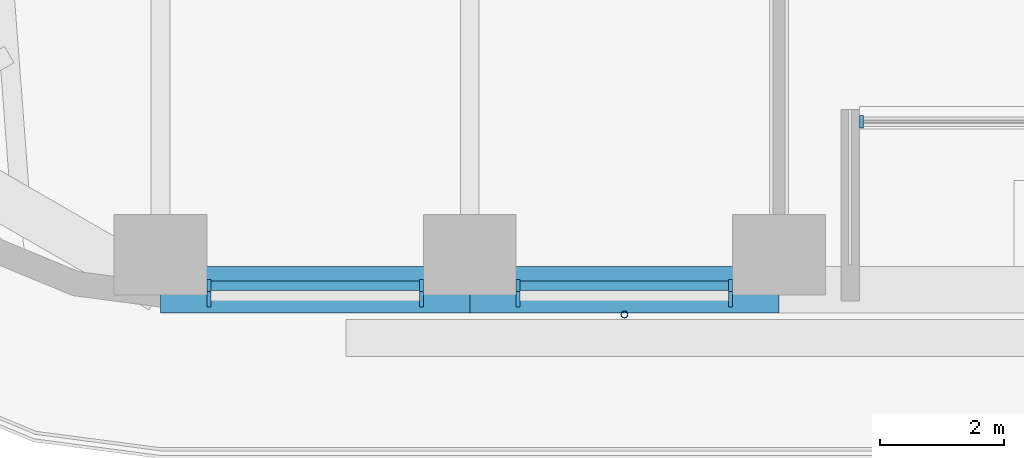
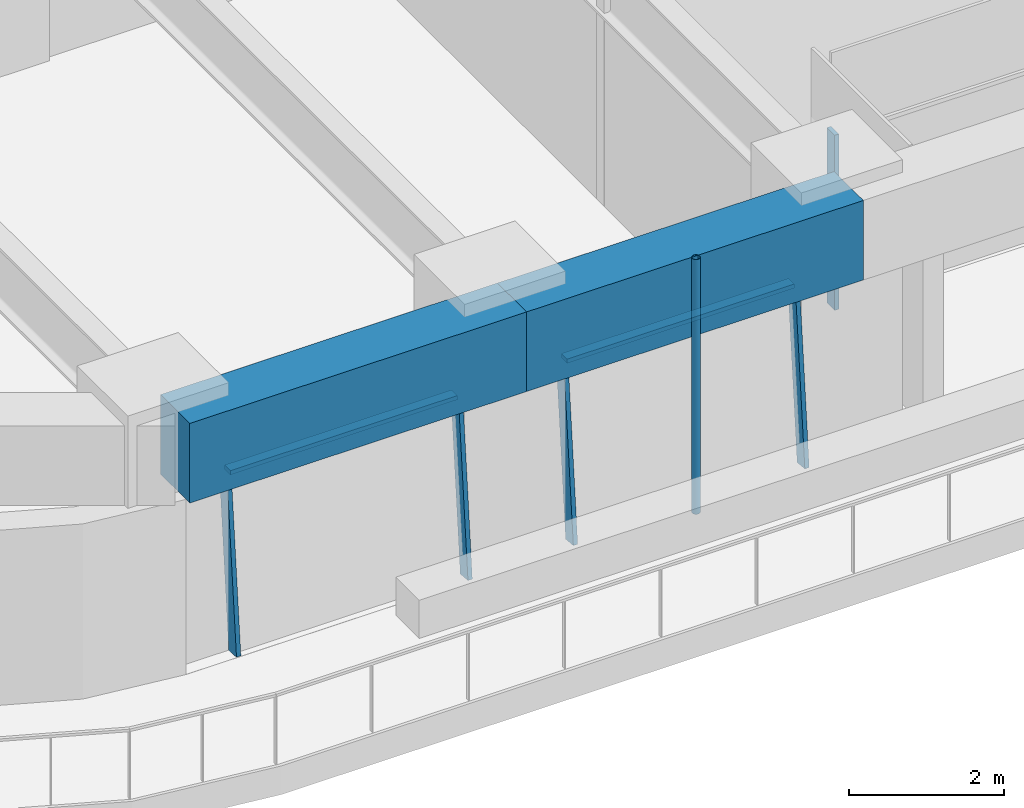
# One storey, part 2 of 24: 8 members, 2 beams, 3 elements without a shape of their own.
"""IFC4 building model written with IfcOpenShell, lengths in metres."""

from ifc_helpers import new_model, si_unit, direction, frame, origin, origin_2d, place, context, subcontext, project, spatial, rectangle, hollow_circle, extrude, material, material_profile, profile_set, type_object, element, aggregate, save


model = new_model("IFC4")

# Units and contexts
model_context = context("Model", 3, precision=1e-05, world=origin(), true_north=direction((0.0, 1.0)))
body_context = subcontext(model_context, "Body", "Model", "MODEL_VIEW")
ifc_project = project(units=[si_unit("LENGTHUNIT", "METRE"), si_unit("AREAUNIT", "SQUARE_METRE"), si_unit("VOLUMEUNIT", "CUBIC_METRE"), si_unit("PLANEANGLEUNIT", "RADIAN"), si_unit("MASSUNIT", "GRAM", prefix="KILO")], contexts=[model_context])

# Site, building, storey
site_placement = place(None, origin())
site = spatial("IfcSite", under=ifc_project, at=site_placement, CompositionType="ELEMENT")
building_placement = place(site_placement, origin())
building = spatial("IfcBuilding", under=site, at=building_placement, Name="Tarfa Lantern Tower", CompositionType="ELEMENT")
storey_placement = place(building_placement, frame((0.0, 0.0, 182.5)))
storey = spatial("IfcBuildingStorey", under=building, at=storey_placement, Name="L41", CompositionType="ELEMENT", Elevation=182.5)

# Curtain wall, members
ifc_material_1 = material(Name="Aluminium framed curtain wall", Category="aluminium")
curtain_wall_type_1 = type_object("IfcCurtainWallType", Name="CW2 CANTED GLAZING MID ZONE 2750", PredefinedType="USERDEFINED", material=ifc_material_1)
curtain_wall_1_placement = place(storey_placement, origin())
curtain_wall_1 = element("IfcCurtainWall", 1, at=curtain_wall_1_placement, inside=storey, type_object=curtain_wall_type_1, Name="CW2 S L41", ObjectType="CURTAIN WALL", PredefinedType="USERDEFINED")
ifc_material_2 = material(Name="Aluminium mullion", Category="aluminium")
ifc_material_profile_1 = material_profile(ifc_material_2, rectangle(XDim=0.06494140625, YDim=0.199951171875, at=origin_2d()), Name="AL MULLION 65x200")
ifc_profile_set_1 = profile_set([ifc_material_profile_1], Name="Aluminium mullion")
member_type_1 = type_object("IfcMemberType", Name="CWM1 MULLION 65x200", PredefinedType="MULLION", material=ifc_profile_set_1)
member_1_placement = place(storey_placement, frame((-14.228515625, -31.39990234375, 0.0), z_axis=(0.0, 0.090535746043, 0.995893206468), x_axis=(-1.0, 0.0, 0.0)))
member_1 = element("IfcMember", 2, at=member_1_placement, type_object=member_type_1, Name="CW2 mullion 1", PredefinedType="MULLION", context=body_context, shape_type="SweptSolid", body=[
    extrude(rectangle(XDim=0.06494140625, YDim=0.199951171875, at=origin_2d()), origin(), (0.0, 0.0, 1.0), 2.76123046875),
])
member_2_placement = place(storey_placement, frame((-10.789794921875, -31.39990234375, 0.0), z_axis=(0.0, 0.090535746043, 0.995893206468), x_axis=(-1.0, 0.0, 0.0)))
member_2 = element("IfcMember", 3, at=member_2_placement, type_object=member_type_1, Name="CW2 mullion 2", PredefinedType="MULLION", context=body_context, shape_type="SweptSolid", body=[
    extrude(rectangle(XDim=0.06494140625, YDim=0.199951171875, at=origin_2d()), origin(), (0.0, 0.0, 1.0), 2.76123046875),
])

curtain_wall_2_placement = place(storey_placement, origin())
curtain_wall_2 = element("IfcCurtainWall", 4, at=curtain_wall_2_placement, inside=storey, type_object=curtain_wall_type_1, Name="CW2 S L41", ObjectType="CURTAIN WALL", PredefinedType="USERDEFINED")
member_3_placement = place(storey_placement, frame((-9.224853515625, -31.39990234375, 0.0), z_axis=(0.0, 0.090535746043, 0.995893206468), x_axis=(-1.0, 0.0, 0.0)))
member_3 = element("IfcMember", 5, at=member_3_placement, type_object=member_type_1, Name="CW2 mullion 1", PredefinedType="MULLION", context=body_context, shape_type="SweptSolid", body=[
    extrude(rectangle(XDim=0.06494140625, YDim=0.199951171875, at=origin_2d()), origin(), (0.0, 0.0, 1.0), 2.76123046875),
])
member_4_placement = place(storey_placement, frame((-5.7861328125, -31.39990234375, 0.0), z_axis=(0.0, 0.090535746043, 0.995893206468), x_axis=(-1.0, 0.0, 0.0)))
member_4 = element("IfcMember", 6, at=member_4_placement, type_object=member_type_1, Name="CW2 mullion 2", PredefinedType="MULLION", context=body_context, shape_type="SweptSolid", body=[
    extrude(rectangle(XDim=0.06494140625, YDim=0.199951171875, at=origin_2d()), origin(), (0.0, 0.0, 1.0), 2.76123046875),
])

# Curtain wall, member
curtain_wall_type_2 = type_object("IfcCurtainWallType", Name="CW10 LOGGIA GLAZING 2750", PredefinedType="USERDEFINED", material=ifc_material_1)
curtain_wall_3_placement = place(storey_placement, origin())
curtain_wall_3 = element("IfcCurtainWall", 7, at=curtain_wall_3_placement, inside=storey, type_object=curtain_wall_type_2, Name="CW10 SL L41", ObjectType="CURTAIN WALL", PredefinedType="USERDEFINED")
member_5_placement = place(storey_placement, frame((-3.671142578125, -28.5, 0.0), z_axis=(0.0, 0.0, 1.0), x_axis=(1.0, 0.0, 0.0)))
member_5 = element("IfcMember", 8, at=member_5_placement, type_object=member_type_1, Name="CW10 mullion 1", PredefinedType="MULLION", context=body_context, shape_type="SweptSolid", body=[
    extrude(rectangle(XDim=0.06494140625, YDim=0.199951171875, at=origin_2d()), origin(), (0.0, 0.0, 1.0), 2.75),
])
aggregate(curtain_wall_3, [member_5])

# Member
ifc_material_3 = material(Name="Aluminium transom", Category="aluminium")
ifc_material_profile_2 = material_profile(ifc_material_3, rectangle(XDim=0.14990234375, YDim=0.06494140625, at=origin_2d()), Name="AL TRANSOM 150x65")
ifc_profile_set_2 = profile_set([ifc_material_profile_2], Name="Aluminium transom")
member_type_2 = type_object("IfcMemberType", Name="CWT1 TRANSOM 150x65", PredefinedType="USERDEFINED", material=ifc_profile_set_2)
member_6_placement = place(storey_placement, frame((-14.196044921875, -31.153076171875, 2.717529296875), z_axis=(1.0, 0.0, 0.0), x_axis=(0.0, 1.0, 0.0)))
member_6 = element("IfcMember", 9, at=member_6_placement, type_object=member_type_2, Name="CW2 transom 1.2", ObjectType="TRANSOM", PredefinedType="USERDEFINED", context=body_context, shape_type="SweptSolid", body=[
    extrude(rectangle(XDim=0.14990234375, YDim=0.06494140625, at=origin_2d()), origin(), (0.0, 0.0, 1.0), 3.37353515625),
])

aggregate(curtain_wall_1, [member_1, member_2, member_6])

member_7_placement = place(storey_placement, frame((-9.1923828125, -31.153076171875, 2.717529296875), z_axis=(1.0, 0.0, 0.0), x_axis=(0.0, 1.0, 0.0)))
member_7 = element("IfcMember", 10, at=member_7_placement, type_object=member_type_2, Name="CW2 transom 1.2", ObjectType="TRANSOM", PredefinedType="USERDEFINED", context=body_context, shape_type="SweptSolid", body=[
    extrude(rectangle(XDim=0.14990234375, YDim=0.06494140625, at=origin_2d()), origin(), (0.0, 0.0, 1.0), 3.373779296875),
])

aggregate(curtain_wall_2, [member_3, member_4, member_7])

# Beams
ifc_material_4 = material(Name="Concrete C80/95", Category="concrete")
ifc_material_profile_3 = material_profile(ifc_material_4, rectangle(XDim=0.75, YDim=1.25, at=origin_2d()), Name="RC 750x1250")
ifc_profile_set_3 = profile_set([ifc_material_profile_3], Name="Concrete C80/95")
beam_type = type_object("IfcBeamType", Name="EB2 RC 750x1250", PredefinedType="SPANDREL", material=ifc_profile_set_3)
for number, where, z_axis, x_axis, name in (
    (11, (-15.010986328125, -31.219970703125, 3.375), (1.0, 0.0, 0.0), (0.0, 1.0, 0.0), "Edge beam S0"),
    (12, (-10.00732421875, -31.219970703125, 3.375), (1.0, 0.0, 0.0), (0.0, 1.0, 0.0), "Edge beam S1"),
):
    element("IfcBeam", number, at=place(storey_placement, frame(where, z_axis=z_axis, x_axis=x_axis)), inside=storey, type_object=beam_type, Name=name, PredefinedType="SPANDREL", context=body_context, shape_type="SweptSolid", body=[
        extrude(rectangle(XDim=0.75, YDim=1.25, at=origin_2d()), origin(), (0.0, 0.0, 1.0), 5.003662109375),
    ])

# Member
ifc_material_5 = material(Name="Steel S355", Category="steel")
ifc_material_profile_4 = material_profile(ifc_material_5, hollow_circle(Radius=0.05712890625, WallThickness=0.00634765625, at=origin_2d()), Name="CHS114.3x6.3")
ifc_profile_set_4 = profile_set([ifc_material_profile_4], Name="Steel S355")
member_type_3 = type_object("IfcMemberType", Name="TR1 GREEN WALL TRELLIS CHS114.3x6.3", PredefinedType="USERDEFINED", material=ifc_profile_set_4)
member_8_placement = place(storey_placement, frame((-7.505615234375, -31.6201171875, 0.0), z_axis=(0.0, 0.0, 1.0), x_axis=(1.0, 0.0, 0.0)))
element("IfcMember", 13, at=member_8_placement, inside=storey, type_object=member_type_3, Name="Trellis post S 1", ObjectType="TRELLIS", PredefinedType="USERDEFINED", context=body_context, shape_type="SweptSolid", body=[
    extrude(hollow_circle(Radius=0.05712890625, WallThickness=0.00634765625, at=origin_2d()), origin(), (0.0, 0.0, 1.0), 4.0),
])

save(model, "model.ifc")
